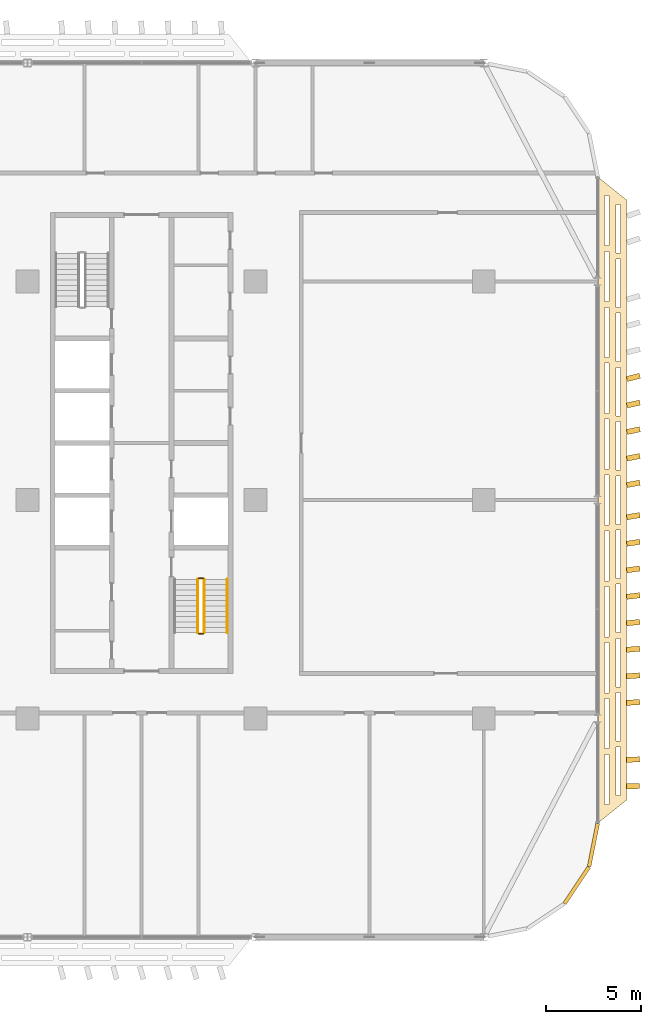
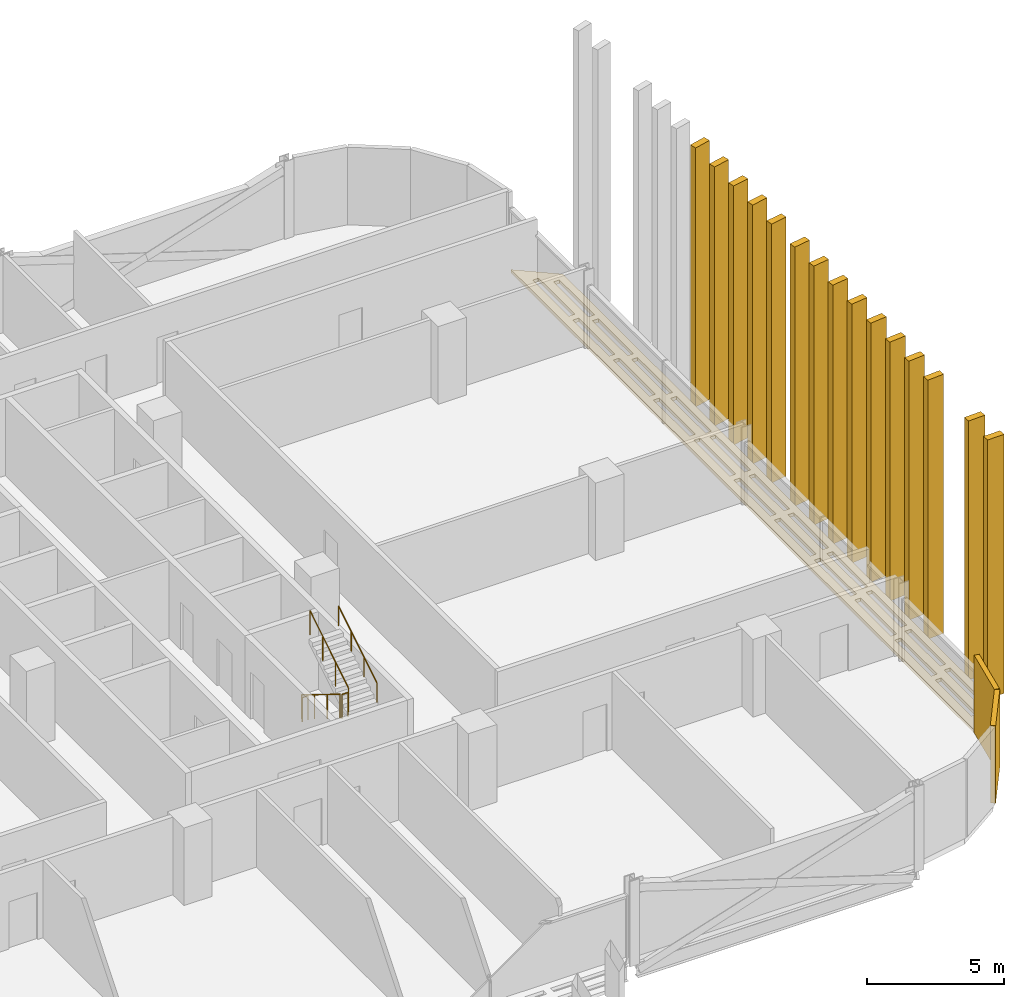
# One storey, part 27 of 28: 18 coverings, 5 railings.
"""IFC4 building model written with IfcOpenShell, lengths in metres."""

from ifc_helpers import new_model, si_unit, direction, frame, origin, origin_2d, place, context, subcontext, project, spatial, polyline, rectangle, circle, outline, extrude, material, layer, layer_set, type_object, element, save


model = new_model("IFC4")

# Units and contexts
model_context = context("Model", 3, precision=1e-05, world=origin(), true_north=direction((0.0, 1.0)))
body_context = subcontext(model_context, "Body", "Model", "MODEL_VIEW")
ifc_project = project(units=[si_unit("LENGTHUNIT", "METRE"), si_unit("AREAUNIT", "SQUARE_METRE"), si_unit("VOLUMEUNIT", "CUBIC_METRE"), si_unit("PLANEANGLEUNIT", "RADIAN"), si_unit("MASSUNIT", "GRAM", prefix="KILO")], contexts=[model_context])

# Site, building, storey
site_placement = place(None, origin())
site = spatial("IfcSite", under=ifc_project, at=site_placement, CompositionType="ELEMENT")
building_placement = place(site_placement, origin())
building = spatial("IfcBuilding", under=site, at=building_placement, Name="Mahtab Terrace Research Tower", CompositionType="ELEMENT")
storey_placement = place(building_placement, frame((0.0, 0.0, 174.39990234375)))
storey = spatial("IfcBuildingStorey", under=building, at=storey_placement, Name="L41", CompositionType="ELEMENT", Elevation=174.39990234375)

# Coverings
ifc_material_1 = material(Name="Black aluminium cladding panel", Category="aluminium")
ifc_layer_1 = layer(ifc_material_1, 0.199951171875)
ifc_layer_set_1 = layer_set([ifc_layer_1], Name="Black metal corner cladding 200")
covering_type_1 = type_object("IfcCoveringType", Name="Black metal corner cladding 200", PredefinedType="CLADDING", material=ifc_layer_set_1)
for number, where, z_axis, x_axis, name in (
    (1, (46.89306640625, -20.26953125, 0.0), (0.0, 0.0, 1.0), (0.555291490808, 0.831655794326, 0.0), "Corner cladding L41 32"),
    (2, (47.771484375, -18.14794921875, 0.0), (0.0, 0.0, 1.0), (0.195212442692, 0.980760981187, 0.0), "Corner cladding L41 33"),
):
    element("IfcCovering", number, at=place(storey_placement, frame(where, z_axis=z_axis, x_axis=x_axis)), inside=storey, type_object=covering_type_1, Name=name, PredefinedType="CLADDING", context=body_context, shape_type="SweptSolid", body=[
        extrude(rectangle(XDim=2.30126953125, YDim=0.199951171875, at=origin_2d()), origin(), (0.0, 0.0, 1.0), 3.4599609375),
    ])
ifc_material_2 = material(Name="Black anodised aluminium", Category="aluminium")
ifc_layer_2 = layer(ifc_material_2, 0.14990234375)
ifc_layer_set_2 = layer_set([ifc_layer_2], Name="Horizontal sunshade band")
covering_type_2 = type_object("IfcCoveringType", Name="Horizontal sunshade band", PredefinedType="CLADDING", material=ifc_layer_set_2)
covering_placement = place(storey_placement, frame((0.0, 0.0, -0.14990234375)))
element("IfcCovering", 3, at=covering_placement, inside=storey, type_object=covering_type_2, Name="Sunshade band L41 34", PredefinedType="CLADDING", context=body_context, shape_type="SweptSolid", body=[
    extrude(outline(polyline([(48.0, -17.0), (48.0, 17.0), (49.5, 15.800048828125), (49.5, -15.800048828125), (48.0, -17.0)]), holes=[polyline([(48.35009765625, -16.02001953125), (48.35009765625, -13.3798828125), (48.60009765625, -13.3798828125), (48.60009765625, -16.02001953125), (48.35009765625, -16.02001953125)]), polyline([(48.35009765625, -13.080078125), (48.35009765625, -10.43994140625), (48.60009765625, -10.43994140625), (48.60009765625, -13.080078125), (48.35009765625, -13.080078125)]), polyline([(48.35009765625, -10.139892578125), (48.35009765625, -7.5), (48.60009765625, -7.5), (48.60009765625, -10.139892578125), (48.35009765625, -10.139892578125)]), polyline([(48.35009765625, -7.199951171875), (48.35009765625, -4.56005859375), (48.60009765625, -4.56005859375), (48.60009765625, -7.199951171875), (48.35009765625, -7.199951171875)]), polyline([(48.35009765625, -4.260009765625), (48.35009765625, -1.6201171875), (48.60009765625, -1.6201171875), (48.60009765625, -4.260009765625), (48.35009765625, -4.260009765625)]), polyline([(48.35009765625, -1.320068359375), (48.35009765625, 1.320068359375), (48.60009765625, 1.320068359375), (48.60009765625, -1.320068359375), (48.35009765625, -1.320068359375)]), polyline([(48.35009765625, 1.6201171875), (48.35009765625, 4.260009765625), (48.60009765625, 4.260009765625), (48.60009765625, 1.6201171875), (48.35009765625, 1.6201171875)]), polyline([(48.35009765625, 4.56005859375), (48.35009765625, 7.199951171875), (48.60009765625, 7.199951171875), (48.60009765625, 4.56005859375), (48.35009765625, 4.56005859375)]), polyline([(48.35009765625, 7.5), (48.35009765625, 10.139892578125), (48.60009765625, 10.139892578125), (48.60009765625, 7.5), (48.35009765625, 7.5)]), polyline([(48.35009765625, 10.43994140625), (48.35009765625, 13.080078125), (48.60009765625, 13.080078125), (48.60009765625, 10.43994140625), (48.35009765625, 10.43994140625)]), polyline([(48.35009765625, 13.3798828125), (48.35009765625, 16.02001953125), (48.60009765625, 16.02001953125), (48.60009765625, 13.3798828125), (48.35009765625, 13.3798828125)]), polyline([(48.949951171875, -15.5400390625), (48.949951171875, -12.987060546875), (49.199951171875, -12.987060546875), (49.199951171875, -15.5400390625), (48.949951171875, -15.5400390625)]), polyline([(48.949951171875, -12.68701171875), (48.949951171875, -10.135009765625), (49.199951171875, -10.135009765625), (49.199951171875, -12.68701171875), (48.949951171875, -12.68701171875)]), polyline([(48.949951171875, -9.8349609375), (48.949951171875, -7.281982421875), (49.199951171875, -7.281982421875), (49.199951171875, -9.8349609375), (48.949951171875, -9.8349609375)]), polyline([(48.949951171875, -6.98193359375), (48.949951171875, -4.428955078125), (49.199951171875, -4.428955078125), (49.199951171875, -6.98193359375), (48.949951171875, -6.98193359375)]), polyline([(48.949951171875, -4.12890625), (48.949951171875, -1.575927734375), (49.199951171875, -1.575927734375), (49.199951171875, -4.12890625), (48.949951171875, -4.12890625)]), polyline([(48.949951171875, -1.27587890625), (48.949951171875, 1.27587890625), (49.199951171875, 1.27587890625), (49.199951171875, -1.27587890625), (48.949951171875, -1.27587890625)]), polyline([(48.949951171875, 1.575927734375), (48.949951171875, 4.12890625), (49.199951171875, 4.12890625), (49.199951171875, 1.575927734375), (48.949951171875, 1.575927734375)]), polyline([(48.949951171875, 4.428955078125), (48.949951171875, 6.98193359375), (49.199951171875, 6.98193359375), (49.199951171875, 4.428955078125), (48.949951171875, 4.428955078125)]), polyline([(48.949951171875, 7.281982421875), (48.949951171875, 9.8349609375), (49.199951171875, 9.8349609375), (49.199951171875, 7.281982421875), (48.949951171875, 7.281982421875)]), polyline([(48.949951171875, 10.135009765625), (48.949951171875, 12.68701171875), (49.199951171875, 12.68701171875), (49.199951171875, 10.135009765625), (48.949951171875, 10.135009765625)]), polyline([(48.949951171875, 12.987060546875), (48.949951171875, 15.5400390625), (49.199951171875, 15.5400390625), (49.199951171875, 12.987060546875), (48.949951171875, 12.987060546875)])]), origin(), (0.0, 0.0, 1.0), 0.14990234375),
])

# Railings
ifc_material_3 = material(Name="Stainless steel AISI 304", Category="steel")
railing_type_1 = type_object("IfcRailingType", Name="Stair guard 1100", PredefinedType="GUARDRAIL", material=ifc_material_3)
railing_1_placement = place(storey_placement, frame((26.949951171875, -4.175048828125, 0.1728515625)))
element("IfcRailing", 4, at=railing_1_placement, inside=storey, type_object=railing_type_1, Name="L41 ST4 stair guard 1", PredefinedType="GUARDRAIL", context=body_context, shape_type="SweptSolid", body=[
    extrude(circle(Radius=0.02392578125, at=origin_2d()), frame((0.0, 0.0, 1.076171875), z_axis=(0.0, -0.851089632645, 0.525020415988), x_axis=(1.0, 0.0, 0.0)), (0.0, 0.0, 1.0), 3.2900390625),
    extrude(circle(Radius=0.02099609375, at=origin_2d()), origin(), (0.0, 0.0, 1.0), 1.052001953125),
    extrude(circle(Radius=0.02099609375, at=origin_2d()), frame((0.0, -0.933349609375, 0.57568359375)), (0.0, 0.0, 1.0), 1.052001953125),
    extrude(circle(Radius=0.02099609375, at=origin_2d()), frame((0.0, -1.86669921875, 1.151611328125)), (0.0, 0.0, 1.0), 1.052001953125),
    extrude(circle(Radius=0.02099609375, at=origin_2d()), frame((0.0, -2.800048828125, 1.727294921875)), (0.0, 0.0, 1.0), 1.052001953125),
])
railing_2_placement = place(storey_placement, frame((27.0, -7.02490234375, 1.900146484375)))
element("IfcRailing", 5, at=railing_2_placement, inside=storey, type_object=railing_type_1, Name="L41 ST4 stair guard 2", PredefinedType="GUARDRAIL", context=body_context, shape_type="SweptSolid", body=[
    extrude(circle(Radius=0.02392578125, at=origin_2d()), frame((0.0, 0.0, 1.076171875), z_axis=(1.0, 0.0, 0.0), x_axis=(0.0, 1.0, 0.0)), (0.0, 0.0, 1.0), 0.25),
    extrude(circle(Radius=0.02099609375, at=origin_2d()), origin(), (0.0, 0.0, 1.0), 1.052001953125),
    extrude(circle(Radius=0.02099609375, at=origin_2d()), frame((0.25, 0.0, 0.0)), (0.0, 0.0, 1.0), 1.052001953125),
])
railing_3_placement = place(storey_placement, frame((27.300048828125, -6.97509765625, 2.07275390625)))
element("IfcRailing", 6, at=railing_3_placement, inside=storey, type_object=railing_type_1, Name="L41 ST4 stair guard 3", PredefinedType="GUARDRAIL", context=body_context, shape_type="SweptSolid", body=[
    extrude(circle(Radius=0.02392578125, at=origin_2d()), frame((0.0, 0.0, 1.076171875), z_axis=(0.0, 0.851089632645, 0.525020415988), x_axis=(-1.0, 0.0, 0.0)), (0.0, 0.0, 1.0), 3.2900390625),
    extrude(circle(Radius=0.02099609375, at=origin_2d()), origin(), (0.0, 0.0, 1.0), 1.052001953125),
    extrude(circle(Radius=0.02099609375, at=origin_2d()), frame((0.0, 0.933349609375, 0.57568359375)), (0.0, 0.0, 1.0), 1.052001953125),
    extrude(circle(Radius=0.02099609375, at=origin_2d()), frame((0.0, 1.86669921875, 1.151611328125)), (0.0, 0.0, 1.0), 1.052001953125),
    extrude(circle(Radius=0.02099609375, at=origin_2d()), frame((0.0, 2.800048828125, 1.727294921875)), (0.0, 0.0, 1.0), 1.052001953125),
])
railing_4_placement = place(storey_placement, frame((27.0, -4.125, 0.0)))
element("IfcRailing", 7, at=railing_4_placement, inside=storey, type_object=railing_type_1, Name="L41 ST4 stair guard 4", PredefinedType="GUARDRAIL", context=body_context, shape_type="SweptSolid", body=[
    extrude(circle(Radius=0.02392578125, at=origin_2d()), frame((0.0, 0.0, 1.076171875), z_axis=(1.0, 0.0, 0.0), x_axis=(0.0, 1.0, 0.0)), (0.0, 0.0, 1.0), 0.25),
    extrude(circle(Radius=0.02099609375, at=origin_2d()), origin(), (0.0, 0.0, 1.0), 1.052001953125),
    extrude(circle(Radius=0.02099609375, at=origin_2d()), frame((0.25, 0.0, 0.0)), (0.0, 0.0, 1.0), 1.052001953125),
])
railing_type_2 = type_object("IfcRailingType", Name="Stair handrail 900", PredefinedType="HANDRAIL", material=ifc_material_3)
railing_5_placement = place(storey_placement, frame((28.5, -6.97509765625, 2.07275390625)))
element("IfcRailing", 8, at=railing_5_placement, inside=storey, type_object=railing_type_2, Name="L41 ST4 stair handrail 2", PredefinedType="HANDRAIL", context=body_context, shape_type="SweptSolid", body=[
    extrude(circle(Radius=0.02392578125, at=origin_2d()), frame((0.0, 0.0, 0.8759765625), z_axis=(0.0, 0.851089632645, 0.525020415988), x_axis=(-1.0, 0.0, 0.0)), (0.0, 0.0, 1.0), 3.2900390625),
    extrude(circle(Radius=0.02099609375, at=origin_2d()), origin(), (0.0, 0.0, 1.0), 0.851806640625),
    extrude(circle(Radius=0.02099609375, at=origin_2d()), frame((0.0, 0.933349609375, 0.57568359375)), (0.0, 0.0, 1.0), 0.851806640625),
    extrude(circle(Radius=0.02099609375, at=origin_2d()), frame((0.0, 1.86669921875, 1.151611328125)), (0.0, 0.0, 1.0), 0.851806640625),
    extrude(circle(Radius=0.02099609375, at=origin_2d()), frame((0.0, 2.800048828125, 1.727294921875)), (0.0, 0.0, 1.0), 0.851806640625),
])

# Coverings
ifc_material_4 = material(Name="Bronze anodised aluminium", Category="aluminium")
ifc_layer_3 = layer(ifc_material_4, 0.1201171875)
ifc_layer_set_3 = layer_set([ifc_layer_3], Name="Vertical fin 700")
covering_type_3 = type_object("IfcCoveringType", Name="Vertical fin 700", PredefinedType="CLADDING", material=ifc_layer_set_3)
for number, where, z_axis, x_axis, name in (
    (9, (49.852783203125, -15.053955078125, -0.14990234375), (0.0, 0.0, 1.0), (-0.019977557519, 0.999800428683, 0.0), "Fin L41 E1"),
    (10, (49.8544921875, -13.654052734375, -0.14990234375), (0.0, 0.0, 1.0), (-0.034345430387, 0.999410021669, 0.0), "Fin L41 E2"),
    (11, (49.8583984375, -10.64990234375, -0.14990234375), (0.0, 0.0, 1.0), (-0.06514701056, 0.997875677134, 0.0), "Fin L41 E1"),
    (12, (49.860107421875, -9.25, -0.14990234375), (0.0, 0.0, 1.0), (-0.079482553594, 0.996836257203, 0.0), "Fin L41 E2"),
    (13, (49.861572265625, -7.85009765625, -0.14990234375), (0.0, 0.0, 1.0), (-0.093801676489, 0.995590902674, 0.0), "Fin L41 E3"),
    (14, (49.863037109375, -6.449951171875, -0.14990234375), (0.0, 0.0, 1.0), (-0.108101421065, 0.994139870825, 0.0), "Fin L41 E4"),
    (15, (49.864501953125, -5.050048828125, -0.14990234375), (0.0, 0.0, 1.0), (-0.122378833164, 0.992483461421, 0.0), "Fin L41 E5"),
    (16, (49.865966796875, -3.64990234375, -0.14990234375), (0.0, 0.0, 1.0), (-0.136630963225, 0.990622016658, 0.0), "Fin L41 E6"),
    (17, (49.8671875, -2.25, -0.14990234375), (0.0, 0.0, 1.0), (-0.15085486696, 0.988555921086, 0.0), "Fin L41 E7"),
    (18, (49.868408203125, -0.85009765625, -0.14990234375), (0.0, 0.0, 1.0), (-0.165047605861, 0.986285601537, 0.0), "Fin L41 E8"),
    (19, (49.86962890625, 0.85009765625, -0.14990234375), (0.0, 0.0, 1.0), (-0.182235525492, 0.983254907564, 0.0), "Fin L41 E1"),
    (20, (49.87060546875, 2.25, -0.14990234375), (0.0, 0.0, 1.0), (-0.196348832524, 0.980534107498, 0.0), "Fin L41 E2"),
    (21, (49.87158203125, 3.64990234375, -0.14990234375), (0.0, 0.0, 1.0), (-0.210421576206, 0.977610740667, 0.0), "Fin L41 E3"),
    (22, (49.87255859375, 5.050048828125, -0.14990234375), (0.0, 0.0, 1.0), (-0.224450849259, 0.974485411008, 0.0), "Fin L41 E4"),
    (23, (49.873291015625, 6.449951171875, -0.14990234375), (0.0, 0.0, 1.0), (-0.238433753434, 0.971158764169, 0.0), "Fin L41 E5"),
):
    element("IfcCovering", number, at=place(storey_placement, frame(where, z_axis=z_axis, x_axis=x_axis)), inside=storey, type_object=covering_type_3, Name=name, PredefinedType="CLADDING", context=body_context, shape_type="SweptSolid", body=[
        extrude(rectangle(XDim=0.280029296875, YDim=0.699951171875, at=origin_2d()), origin(), (0.0, 0.0, 1.0), 11.550048828125),
    ])

save(model, "model.ifc")
